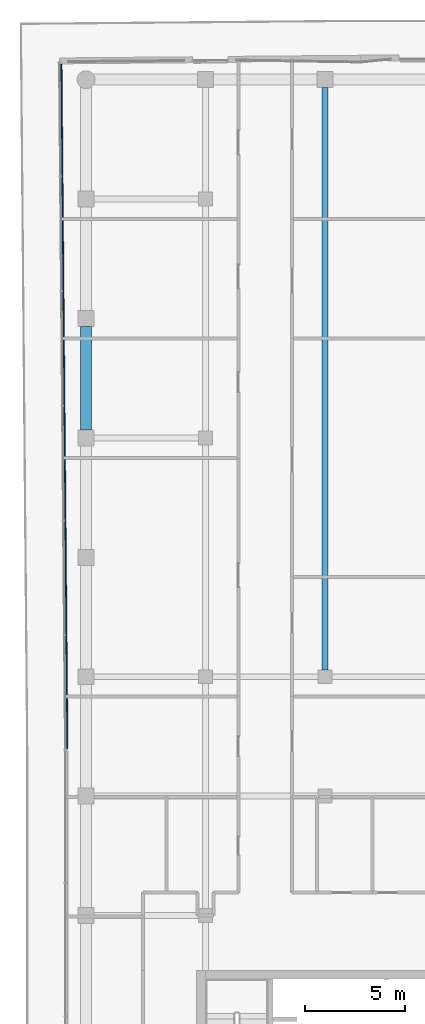
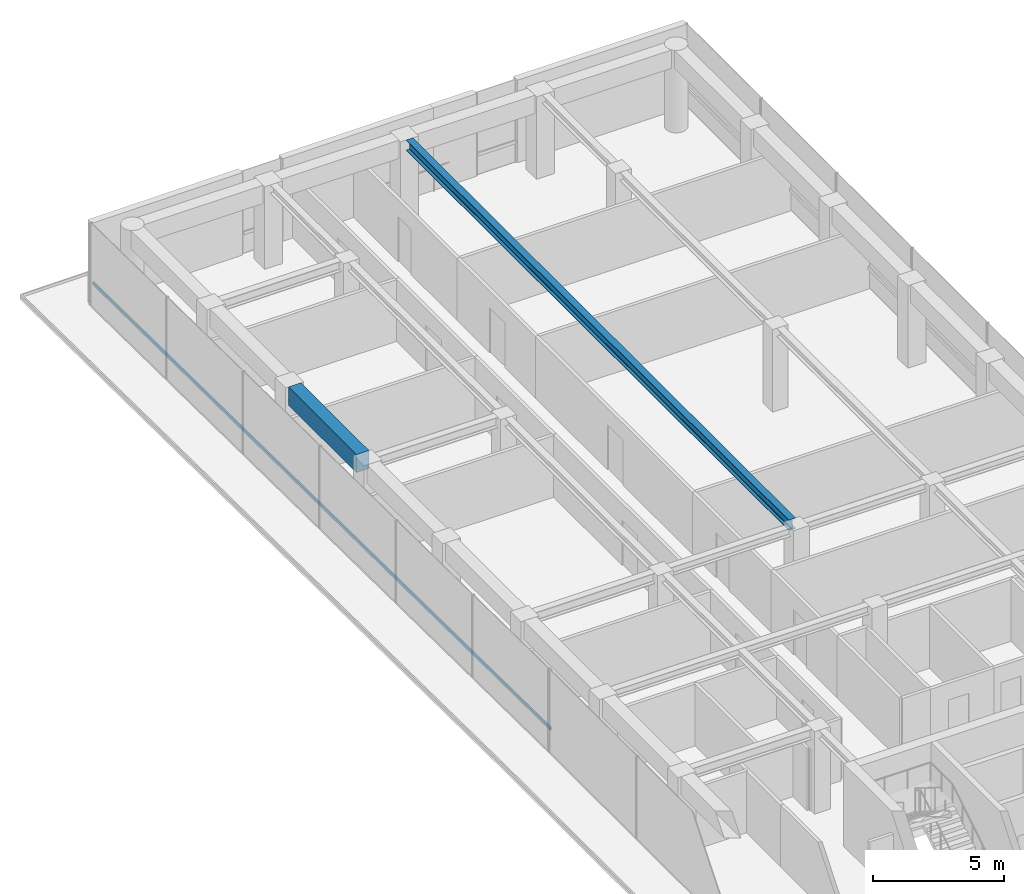
# One storey, part 9 of 19: 2 beams, 1 member, 1 element without a shape of its own.
"""IFC4 building model written with IfcOpenShell, lengths in metres."""

from ifc_helpers import new_model, si_unit, direction, frame, origin, origin_2d, place, context, subcontext, project, spatial, rectangle, i_section, extrude, material, layer, layer_set, material_profile, profile_set, type_object, element, aggregate, save


model = new_model("IFC4")

# Units and contexts
model_context = context("Model", 3, precision=1e-05, world=origin(), true_north=direction((0.0, 1.0)))
body_context = subcontext(model_context, "Body", "Model", "MODEL_VIEW")
ifc_project = project(units=[si_unit("LENGTHUNIT", "METRE"), si_unit("AREAUNIT", "SQUARE_METRE"), si_unit("VOLUMEUNIT", "CUBIC_METRE"), si_unit("PLANEANGLEUNIT", "RADIAN"), si_unit("MASSUNIT", "GRAM", prefix="KILO")], contexts=[model_context])

# Site, building, storey
site_placement = place(None, origin())
site = spatial("IfcSite", under=ifc_project, at=site_placement, CompositionType="ELEMENT")
building_placement = place(site_placement, origin())
building = spatial("IfcBuilding", under=site, at=building_placement, Name="Welwitschia Terrace Campus", CompositionType="ELEMENT")
storey_placement = place(building_placement, frame((0.0, 0.0, 226.39990234375)))
storey = spatial("IfcBuildingStorey", under=building, at=storey_placement, Name="L50", CompositionType="ELEMENT", Elevation=226.39990234375)

# Beams
ifc_material_1 = material(Name="Steel S355", Category="steel")
ifc_material_profile_1 = material_profile(ifc_material_1, i_section(OverallWidth=0.300048828125, OverallDepth=0.489990234375, WebThickness=0.011962890625, FlangeThickness=0.02294921875, FilletRadius=0.027099609375, at=origin_2d()))
ifc_profile_set_1 = profile_set([ifc_material_profile_1], Name="Steel S355")
beam_type_1 = type_object("IfcBeamType", Name="Primary beam HE 500 A", PredefinedType="BEAM", material=ifc_profile_set_1)
beam_1_placement = place(storey_placement, frame((12.0, 69.599609375, 3.60498046875), z_axis=(0.0, -1.0, 0.0), x_axis=(1.0, 0.0, 0.0)))
element("IfcBeam", 1, at=beam_1_placement, inside=storey, type_object=beam_type_1, Name="Primary beam PB5", PredefinedType="BEAM", context=body_context, shape_type="SweptSolid", body=[
    extrude(i_section(OverallWidth=0.300048828125, OverallDepth=0.489990234375, WebThickness=0.011962890625, FlangeThickness=0.02294921875, FilletRadius=0.027099609375, at=origin_2d()), origin(), (0.0, 0.0, 1.0), 29.2490234375),
])
ifc_material_2 = material(Name="Concrete C50/60", Category="concrete")
ifc_material_profile_2 = material_profile(ifc_material_2, rectangle(XDim=0.550048828125, YDim=0.85009765625, at=origin_2d()))
ifc_profile_set_2 = profile_set([ifc_material_profile_2], Name="Concrete C50/60")
beam_type_2 = type_object("IfcBeamType", Name="Ring spandrel 550x850", PredefinedType="SPANDREL", material=ifc_profile_set_2)
beam_2_placement = place(storey_placement, frame((0.0, 57.599609375, 3.425048828125), z_axis=(0.0, -1.0, 0.0), x_axis=(1.0, 0.0, 0.0)))
element("IfcBeam", 2, at=beam_2_placement, inside=storey, type_object=beam_type_2, Name="Spandrel SP3", PredefinedType="SPANDREL", context=body_context, shape_type="SweptSolid", body=[
    extrude(rectangle(XDim=0.550048828125, YDim=0.85009765625, at=origin_2d()), origin(), (0.0, 0.0, 1.0), 5.19921875),
])

# Curtain wall, member
ifc_material_3 = material(Name="Bronze anodised aluminium", Category="aluminium")
ifc_layer = layer(ifc_material_3, 0.1201171875)
ifc_layer_set = layer_set([ifc_layer], Name="Bronze anodised aluminium")
curtain_wall_type = type_object("IfcCurtainWallType", Name="Curtain wall CW2 tower 6000", PredefinedType="NOTDEFINED", material=ifc_layer_set)
curtain_wall_placement = place(storey_placement, origin())
curtain_wall = element("IfcCurtainWall", 3, at=curtain_wall_placement, inside=storey, type_object=curtain_wall_type, Name="CW L50.0.0", PredefinedType="NOTDEFINED")
ifc_material_4 = material(Name="Bronze anodised aluminium", Category="aluminium")
ifc_material_profile_3 = material_profile(ifc_material_4, rectangle(XDim=0.06005859375, YDim=0.14990234375, at=origin_2d()))
ifc_profile_set_3 = profile_set([ifc_material_profile_3], Name="Bronze anodised aluminium")
member_type = type_object("IfcMemberType", Name="Transom 60x150", PredefinedType="USERDEFINED", material=ifc_profile_set_3)
member_placement = place(storey_placement, frame((-1.2412109375, 70.838623046875, 1.0), z_axis=(0.008729269391, -0.999961899202, 0.0), x_axis=(0.999961899202, 0.008729269391, 0.0)))
member = element("IfcMember", 4, at=member_placement, type_object=member_type, Name="Transom L50.0.0", ObjectType="TRANSOM", PredefinedType="USERDEFINED", context=body_context, shape_type="SweptSolid", body=[
    extrude(rectangle(XDim=0.06005859375, YDim=0.14990234375, at=origin_2d()), origin(), (0.0, 0.0, 1.0), 34.45654296875),
])
aggregate(curtain_wall, [member])

save(model, "model.ifc")
